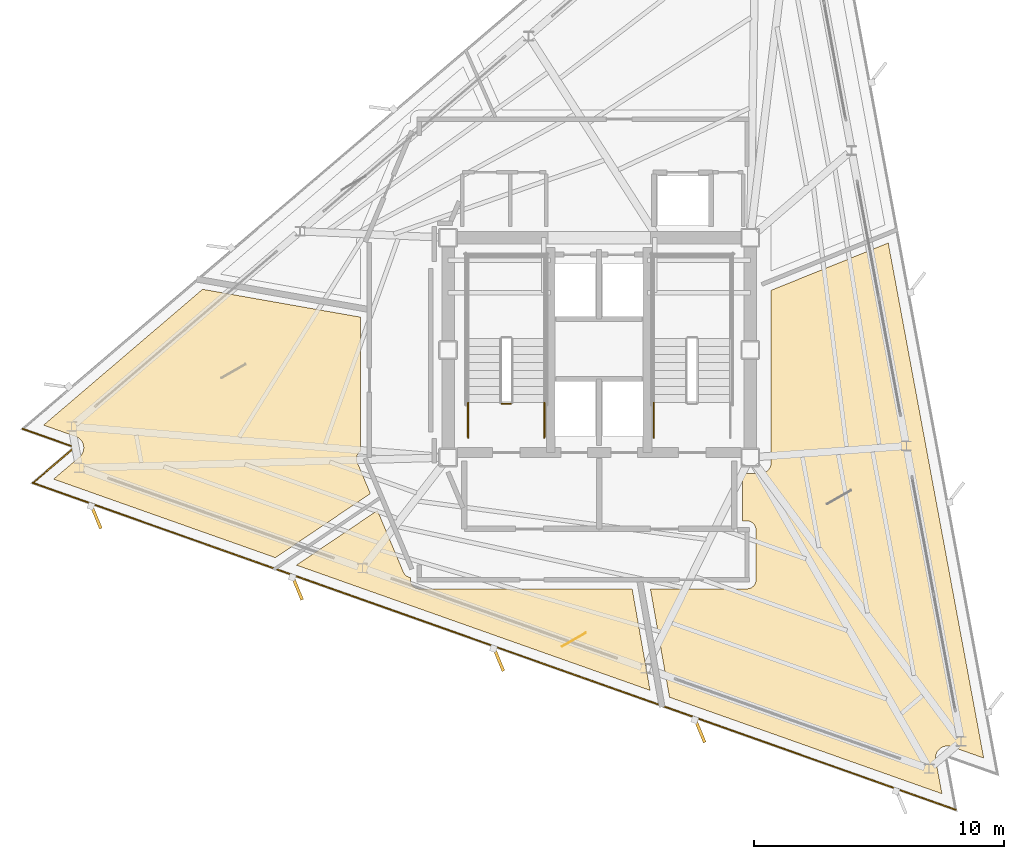
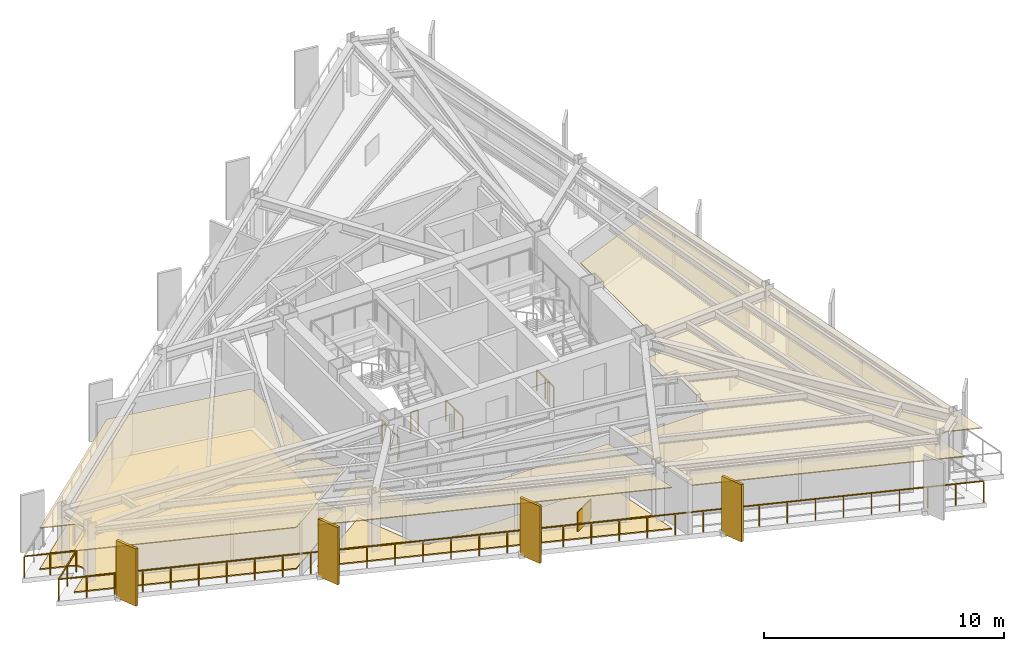
# One storey, part 11 of 14: 6 coverings, 5 railings, 4 shading devices.
"""IFC4 building model written with IfcOpenShell, lengths in metres."""

from ifc_helpers import new_model, si_unit, direction, frame, origin, origin_2d, place, context, subcontext, project, spatial, polyline, rectangle, outline, extrude, material, layer, layer_set, type_object, element, save


model = new_model("IFC4")

# Units and contexts
model_context = context("Model", 3, precision=1e-05, world=origin(), true_north=direction((0.0, 1.0)))
body_context = subcontext(model_context, "Body", "Model", "MODEL_VIEW")
ifc_project = project(units=[si_unit("LENGTHUNIT", "METRE"), si_unit("AREAUNIT", "SQUARE_METRE"), si_unit("VOLUMEUNIT", "CUBIC_METRE"), si_unit("PLANEANGLEUNIT", "RADIAN"), si_unit("MASSUNIT", "GRAM", prefix="KILO")], contexts=[model_context])

# Site, building, storey
site_placement = place(None, origin())
site = spatial("IfcSite", under=ifc_project, at=site_placement, CompositionType="ELEMENT")
building_placement = place(site_placement, origin())
building = spatial("IfcBuilding", under=site, at=building_placement, Name="Rocaltana Carrier Exchange", CompositionType="ELEMENT")
storey_placement = place(building_placement, frame((0.0, 0.0, 187.52001953125)))
storey = spatial("IfcBuildingStorey", under=building, at=storey_placement, Name="L59", CompositionType="ELEMENT", Elevation=187.52001953125)

# Coverings
ifc_material_1 = material(Name="Calcium Sulphate & Aluminium Pedestal", Category="aluminium")
ifc_layer_1 = layer(ifc_material_1, 0.06005859375)
ifc_layer_set_1 = layer_set([ifc_layer_1], Name="Calcium Sulphate & Aluminium Pedestal")
covering_type_1 = type_object("IfcCoveringType", Name="Anti-Static Raised Exchange Access Floor 60", PredefinedType="FLOORING", material=ifc_layer_set_1)
covering_1_placement = place(storey_placement, origin())
element("IfcCovering", 1, at=covering_1_placement, inside=storey, type_object=covering_type_1, Name="L59 Cloud Architecture Office Finish Floor", PredefinedType="FLOORING", context=body_context, shape_type="SweptSolid", body=[
    extrude(outline(polyline([(-20.80615234375, -4.279052734375), (-20.795654296875, -4.269775390625), (-20.78125, -4.256103515625), (-20.761962890625, -4.23583984375), (-20.748779296875, -4.220703125), (-20.731689453125, -4.19873046875), (-20.72021484375, -4.1826171875), (-20.705078125, -4.158935546875), (-20.6953125, -4.1416015625), (-20.682861328125, -4.11669921875), (-20.6748046875, -4.098388671875), (-20.664794921875, -4.072265625), (-20.65869140625, -4.053466796875), (-20.6513671875, -4.0263671875), (-20.64697265625, -4.0068359375), (-20.642333984375, -3.9794921875), (-20.64013671875, -3.959716796875), (-20.63818359375, -3.931884765625), (-20.637939453125, -3.911865234375), (-20.638916015625, -3.8837890625), (-20.640625, -3.864013671875), (-20.644287109375, -3.83642578125), (-20.64794921875, -3.81689453125), (-20.654296875, -3.78955078125), (-20.659912109375, -3.7705078125), (-20.6689453125, -3.744140625), (-20.676513671875, -3.7255859375), (-20.688232421875, -3.7001953125), (-20.697509765625, -3.6826171875), (-20.711669921875, -3.658447265625), (-20.72265625, -3.641845703125), (-20.739013671875, -3.619384765625), (-20.751708984375, -3.60400390625), (-20.770263671875, -3.5830078125), (-20.7841796875, -3.569091796875), (-20.804931640625, -3.55029296875), (-20.8203125, -3.53759765625), (-20.8427734375, -3.520751953125), (-20.859375, -3.509765625), (-20.88330078125, -3.495361328125), (-20.90087890625, -3.486083984375), (-20.926025390625, -3.47412109375), (-20.944580078125, -3.466552734375), (-20.95751953125, -3.46142578125), (-22.247802734375, -3.004638671875), (-15.87939453125, 2.434326171875), (-9.56005859375, 1.320068359375), (-9.56005859375, -4.052001953125), (-9.57177734375, -4.06005859375), (-9.578125, -4.064697265625), (-9.59912109375, -4.082275390625), (-9.60498046875, -4.087646484375), (-9.624267578125, -4.107177734375), (-9.629638671875, -4.113037109375), (-9.64697265625, -4.134521484375), (-9.651611328125, -4.140625), (-9.666748046875, -4.16357421875), (-9.670654296875, -4.17041015625), (-9.68359375, -4.194580078125), (-9.686767578125, -4.201904296875), (-9.697265625, -4.227294921875), (-9.69970703125, -4.234619140625), (-9.70751953125, -4.260986328125), (-9.70947265625, -4.2685546875), (-9.714599609375, -4.295654296875), (-9.7158203125, -4.30322265625), (-9.718505859375, -4.330810546875), (-9.71875, -4.33837890625), (-9.718505859375, -4.365966796875), (-9.71826171875, -4.373779296875), (-9.71533203125, -4.401123046875), (-9.714111328125, -4.408935546875), (-9.70849609375, -4.435791015625), (-9.706787109375, -4.443603515625), (-9.698486328125, -4.4697265625), (-9.69580078125, -4.47705078125), (-9.69091796875, -4.489990234375), (-9.16259765625, -5.74609375), (-12.967041015625, -8.312255859375), (-21.8466796875, -5.167724609375), (-20.80615234375, -4.279052734375)])), origin(), (0.0, 0.0, 1.0), 0.06005859375),
])
covering_2_placement = place(storey_placement, origin())
element("IfcCovering", 2, at=covering_2_placement, inside=storey, type_object=covering_type_1, Name="L59 Network Operations Office Finish Floor", PredefinedType="FLOORING", context=body_context, shape_type="SweptSolid", body=[
    extrude(outline(polyline([(-12.122802734375, -8.611083984375), (-8.878173828125, -6.422607421875), (-7.8408203125, -8.889892578125), (-7.835205078125, -8.90234375), (-7.831787109375, -8.909423828125), (-7.818603515625, -8.93359375), (-7.814697265625, -8.9404296875), (-7.79931640625, -8.963134765625), (-7.794677734375, -8.969482421875), (-7.777099609375, -8.990478515625), (-7.771728515625, -8.996337890625), (-7.752197265625, -9.015625), (-7.746337890625, -9.02099609375), (-7.72509765625, -9.038330078125), (-7.71875, -9.04296875), (-7.69580078125, -9.05810546875), (-7.68896484375, -9.06201171875), (-7.664794921875, -9.074951171875), (-7.65771484375, -9.078125), (-7.632080078125, -9.088623046875), (-7.624755859375, -9.09130859375), (-7.598388671875, -9.09912109375), (-7.5908203125, -9.100830078125), (-7.563720703125, -9.106201171875), (-7.56005859375, -9.106689453125), (-7.56005859375, -9.199951171875), (-7.559814453125, -9.213623046875), (-7.559326171875, -9.2216796875), (-7.556640625, -9.248779296875), (-7.555419921875, -9.256591796875), (-7.550048828125, -9.28369140625), (-7.548095703125, -9.291259765625), (-7.540283203125, -9.317626953125), (-7.53759765625, -9.324951171875), (-7.527099609375, -9.350341796875), (-7.523681640625, -9.357421875), (-7.5107421875, -9.381591796875), (-7.506591796875, -9.388427734375), (-7.491455078125, -9.4111328125), (-7.48681640625, -9.41748046875), (-7.46923828125, -9.438720703125), (-7.464111328125, -9.444580078125), (-7.444580078125, -9.464111328125), (-7.438720703125, -9.46923828125), (-7.41748046875, -9.48681640625), (-7.4111328125, -9.491455078125), (-7.388427734375, -9.506591796875), (-7.381591796875, -9.5107421875), (-7.357421875, -9.523681640625), (-7.350341796875, -9.527099609375), (-7.324951171875, -9.53759765625), (-7.317626953125, -9.540283203125), (-7.291259765625, -9.548095703125), (-7.28369140625, -9.550048828125), (-7.256591796875, -9.555419921875), (-7.248779296875, -9.556640625), (-7.2216796875, -9.559326171875), (-7.213623046875, -9.559814453125), (-7.199951171875, -9.56005859375), (1.320068359375, -9.56005859375), (2.037109375, -13.62548828125), (-12.122802734375, -8.611083984375)])), origin(), (0.0, 0.0, 1.0), 0.06005859375),
])
ifc_material_2 = material(Name="Mineral Fibre & Powder-Coated Aluminium", Category="aluminium")
ifc_layer_2 = layer(ifc_material_2, 0.044921875)
ifc_layer_set_2 = layer_set([ifc_layer_2], Name="Mineral Fibre & Powder-Coated Aluminium")
covering_type_2 = type_object("IfcCoveringType", Name="Micro-Perforated Acoustic Ceiling 45", PredefinedType="CEILING", material=ifc_layer_set_2)
covering_3_placement = place(storey_placement, frame((0.0, 0.0, 2.10302734375)))
element("IfcCovering", 3, at=covering_3_placement, inside=storey, type_object=covering_type_2, Name="L59 Cloud Architecture Office Acoustic Ceiling", PredefinedType="CEILING", context=body_context, shape_type="SweptSolid", body=[
    extrude(outline(polyline([(-20.80615234375, -4.279052734375), (-20.795654296875, -4.269775390625), (-20.78125, -4.256103515625), (-20.761962890625, -4.23583984375), (-20.748779296875, -4.220703125), (-20.731689453125, -4.19873046875), (-20.72021484375, -4.1826171875), (-20.705078125, -4.158935546875), (-20.6953125, -4.1416015625), (-20.682861328125, -4.11669921875), (-20.6748046875, -4.098388671875), (-20.664794921875, -4.072265625), (-20.65869140625, -4.053466796875), (-20.6513671875, -4.0263671875), (-20.64697265625, -4.0068359375), (-20.642333984375, -3.9794921875), (-20.64013671875, -3.959716796875), (-20.63818359375, -3.931884765625), (-20.637939453125, -3.911865234375), (-20.638916015625, -3.8837890625), (-20.640625, -3.864013671875), (-20.644287109375, -3.83642578125), (-20.64794921875, -3.81689453125), (-20.654296875, -3.78955078125), (-20.659912109375, -3.7705078125), (-20.6689453125, -3.744140625), (-20.676513671875, -3.7255859375), (-20.688232421875, -3.7001953125), (-20.697509765625, -3.6826171875), (-20.711669921875, -3.658447265625), (-20.72265625, -3.641845703125), (-20.739013671875, -3.619384765625), (-20.751708984375, -3.60400390625), (-20.770263671875, -3.5830078125), (-20.7841796875, -3.569091796875), (-20.804931640625, -3.55029296875), (-20.8203125, -3.53759765625), (-20.8427734375, -3.520751953125), (-20.859375, -3.509765625), (-20.88330078125, -3.495361328125), (-20.90087890625, -3.486083984375), (-20.926025390625, -3.47412109375), (-20.944580078125, -3.466552734375), (-20.95751953125, -3.46142578125), (-22.247802734375, -3.004638671875), (-15.87939453125, 2.434326171875), (-9.56005859375, 1.320068359375), (-9.56005859375, -4.052001953125), (-9.57177734375, -4.06005859375), (-9.578125, -4.064697265625), (-9.59912109375, -4.082275390625), (-9.60498046875, -4.087646484375), (-9.624267578125, -4.107177734375), (-9.629638671875, -4.113037109375), (-9.64697265625, -4.134521484375), (-9.651611328125, -4.140625), (-9.666748046875, -4.16357421875), (-9.670654296875, -4.17041015625), (-9.68359375, -4.194580078125), (-9.686767578125, -4.201904296875), (-9.697265625, -4.227294921875), (-9.69970703125, -4.234619140625), (-9.70751953125, -4.260986328125), (-9.70947265625, -4.2685546875), (-9.714599609375, -4.295654296875), (-9.7158203125, -4.30322265625), (-9.718505859375, -4.330810546875), (-9.71875, -4.33837890625), (-9.718505859375, -4.365966796875), (-9.71826171875, -4.373779296875), (-9.71533203125, -4.401123046875), (-9.714111328125, -4.408935546875), (-9.70849609375, -4.435791015625), (-9.706787109375, -4.443603515625), (-9.698486328125, -4.4697265625), (-9.69580078125, -4.47705078125), (-9.69091796875, -4.489990234375), (-9.16259765625, -5.74609375), (-12.967041015625, -8.312255859375), (-21.8466796875, -5.167724609375), (-20.80615234375, -4.279052734375)])), origin(), (0.0, 0.0, 1.0), 0.044921875),
])
covering_4_placement = place(storey_placement, frame((0.0, 0.0, 2.10302734375)))
element("IfcCovering", 4, at=covering_4_placement, inside=storey, type_object=covering_type_2, Name="L59 Network Operations Office Acoustic Ceiling", PredefinedType="CEILING", context=body_context, shape_type="SweptSolid", body=[
    extrude(outline(polyline([(-12.122802734375, -8.611083984375), (-8.878173828125, -6.422607421875), (-7.8408203125, -8.889892578125), (-7.835205078125, -8.90234375), (-7.831787109375, -8.909423828125), (-7.818603515625, -8.93359375), (-7.814697265625, -8.9404296875), (-7.79931640625, -8.963134765625), (-7.794677734375, -8.969482421875), (-7.777099609375, -8.990478515625), (-7.771728515625, -8.996337890625), (-7.752197265625, -9.015625), (-7.746337890625, -9.02099609375), (-7.72509765625, -9.038330078125), (-7.71875, -9.04296875), (-7.69580078125, -9.05810546875), (-7.68896484375, -9.06201171875), (-7.664794921875, -9.074951171875), (-7.65771484375, -9.078125), (-7.632080078125, -9.088623046875), (-7.624755859375, -9.09130859375), (-7.598388671875, -9.09912109375), (-7.5908203125, -9.100830078125), (-7.563720703125, -9.106201171875), (-7.56005859375, -9.106689453125), (-7.56005859375, -9.199951171875), (-7.559814453125, -9.213623046875), (-7.559326171875, -9.2216796875), (-7.556640625, -9.248779296875), (-7.555419921875, -9.256591796875), (-7.550048828125, -9.28369140625), (-7.548095703125, -9.291259765625), (-7.540283203125, -9.317626953125), (-7.53759765625, -9.324951171875), (-7.527099609375, -9.350341796875), (-7.523681640625, -9.357421875), (-7.5107421875, -9.381591796875), (-7.506591796875, -9.388427734375), (-7.491455078125, -9.4111328125), (-7.48681640625, -9.41748046875), (-7.46923828125, -9.438720703125), (-7.464111328125, -9.444580078125), (-7.444580078125, -9.464111328125), (-7.438720703125, -9.46923828125), (-7.41748046875, -9.48681640625), (-7.4111328125, -9.491455078125), (-7.388427734375, -9.506591796875), (-7.381591796875, -9.5107421875), (-7.357421875, -9.523681640625), (-7.350341796875, -9.527099609375), (-7.324951171875, -9.53759765625), (-7.317626953125, -9.540283203125), (-7.291259765625, -9.548095703125), (-7.28369140625, -9.550048828125), (-7.256591796875, -9.555419921875), (-7.248779296875, -9.556640625), (-7.2216796875, -9.559326171875), (-7.213623046875, -9.559814453125), (-7.199951171875, -9.56005859375), (1.320068359375, -9.56005859375), (2.037109375, -13.62548828125), (-12.122802734375, -8.611083984375)])), origin(), (0.0, 0.0, 1.0), 0.044921875),
])
covering_5_placement = place(storey_placement, frame((0.0, 0.0, 2.10302734375)))
element("IfcCovering", 5, at=covering_5_placement, inside=storey, type_object=covering_type_2, Name="L59 Cloud Architecture Office Acoustic Ceiling", PredefinedType="CEILING", context=body_context, shape_type="SweptSolid", body=[
    extrude(outline(polyline([(5.739990234375, -6.840087890625), (5.739990234375, -4.93994140625), (6.449951171875, -4.93994140625), (6.463623046875, -4.939697265625), (6.4794921875, -4.93896484375), (6.5068359375, -4.936279296875), (6.522216796875, -4.933837890625), (6.54931640625, -4.928466796875), (6.564453125, -4.9248046875), (6.5908203125, -4.916748046875), (6.605712890625, -4.91162109375), (6.630859375, -4.90087890625), (6.64501953125, -4.894287109375), (6.66943359375, -4.88134765625), (6.682861328125, -4.873291015625), (6.705810546875, -4.85791015625), (6.71826171875, -4.8486328125), (6.739501953125, -4.8310546875), (6.751220703125, -4.820556640625), (6.7705078125, -4.80126953125), (6.781005859375, -4.78955078125), (6.798583984375, -4.768310546875), (6.807861328125, -4.755615234375), (6.8232421875, -4.73291015625), (6.831298828125, -4.719482421875), (6.84423828125, -4.695068359375), (6.850830078125, -4.680908203125), (6.861572265625, -4.655517578125), (6.86669921875, -4.640869140625), (6.874755859375, -4.614501953125), (6.87841796875, -4.59912109375), (6.8837890625, -4.572265625), (6.88623046875, -4.556884765625), (6.888916015625, -4.529296875), (6.8896484375, -4.513671875), (6.889892578125, -4.5), (6.889892578125, 2.3955078125), (11.576171875, 4.288818359375), (15.398681640625, -16.3359375), (14.108642578125, -15.879150390625), (14.095458984375, -15.874755859375), (14.076416015625, -15.869140625), (14.04931640625, -15.8623046875), (14.02978515625, -15.858642578125), (14.001953125, -15.854736328125), (13.982177734375, -15.852783203125), (13.954345703125, -15.851806640625), (13.934326171875, -15.85205078125), (13.906494140625, -15.853515625), (13.88671875, -15.855712890625), (13.859130859375, -15.860107421875), (13.839599609375, -15.8642578125), (13.8125, -15.871337890625), (13.793701171875, -15.87744140625), (13.767333984375, -15.88720703125), (13.7490234375, -15.89501953125), (13.72412109375, -15.907470703125), (13.706787109375, -15.9169921875), (13.68310546875, -15.931884765625), (13.66650390625, -15.943359375), (13.64453125, -15.960205078125), (13.62939453125, -15.973388671875), (13.60888671875, -15.992431640625), (13.59521484375, -16.0068359375), (13.576904296875, -16.02783203125), (13.564697265625, -16.043701171875), (13.548583984375, -16.06640625), (13.537841796875, -16.083251953125), (13.524169921875, -16.107666015625), (13.51513671875, -16.12548828125), (13.50390625, -16.15087890625), (13.496826171875, -16.16943359375), (13.48828125, -16.196044921875), (13.48291015625, -16.21533203125), (13.47705078125, -16.24267578125), (13.4736328125, -16.26220703125), (13.470458984375, -16.2900390625), (13.468994140625, -16.309814453125), (13.46875, -16.337890625), (13.469482421875, -16.357666015625), (13.4716796875, -16.385498046875), (13.474365234375, -16.4052734375), (13.4765625, -16.419189453125), (13.725830078125, -17.7646484375), (2.81689453125, -13.901611328125), (2.05126953125, -9.56005859375), (5.919921875, -9.56005859375), (5.93359375, -9.559814453125), (5.941650390625, -9.559326171875), (5.968994140625, -9.556640625), (5.976806640625, -9.555419921875), (6.003662109375, -9.550048828125), (6.01123046875, -9.548095703125), (6.03759765625, -9.540283203125), (6.044921875, -9.53759765625), (6.0703125, -9.527099609375), (6.077392578125, -9.523681640625), (6.101806640625, -9.5107421875), (6.1083984375, -9.506591796875), (6.131103515625, -9.491455078125), (6.137451171875, -9.48681640625), (6.15869140625, -9.46923828125), (6.16455078125, -9.464111328125), (6.18408203125, -9.444580078125), (6.189208984375, -9.438720703125), (6.206787109375, -9.41748046875), (6.21142578125, -9.4111328125), (6.226806640625, -9.388427734375), (6.230712890625, -9.381591796875), (6.24365234375, -9.357421875), (6.2470703125, -9.350341796875), (6.257568359375, -9.324951171875), (6.26025390625, -9.317626953125), (6.268310546875, -9.291259765625), (6.27001953125, -9.28369140625), (6.275390625, -9.256591796875), (6.276611328125, -9.248779296875), (6.279296875, -9.2216796875), (6.27978515625, -9.213623046875), (6.280029296875, -9.199951171875), (6.280029296875, -7.199951171875), (6.27978515625, -7.186279296875), (6.279296875, -7.178466796875), (6.276611328125, -7.151123046875), (6.275390625, -7.143310546875), (6.27001953125, -7.116455078125), (6.268310546875, -7.108642578125), (6.26025390625, -7.08251953125), (6.257568359375, -7.0751953125), (6.2470703125, -7.0498046875), (6.24365234375, -7.04248046875), (6.230712890625, -7.018310546875), (6.226806640625, -7.01171875), (6.21142578125, -6.98876953125), (6.206787109375, -6.982421875), (6.189208984375, -6.961181640625), (6.18408203125, -6.955322265625), (6.16455078125, -6.93603515625), (6.15869140625, -6.9306640625), (6.137451171875, -6.913330078125), (6.131103515625, -6.90869140625), (6.1083984375, -6.893310546875), (6.101806640625, -6.889404296875), (6.077392578125, -6.876220703125), (6.0703125, -6.873046875), (6.044921875, -6.862548828125), (6.03759765625, -6.85986328125), (6.01123046875, -6.851806640625), (6.003662109375, -6.849853515625), (5.976806640625, -6.844482421875), (5.968994140625, -6.843505859375), (5.941650390625, -6.8408203125), (5.93359375, -6.84033203125), (5.919921875, -6.840087890625), (5.739990234375, -6.840087890625)])), origin(), (0.0, 0.0, 1.0), 0.044921875),
])

# Railings
ifc_material_3 = material(Name="Powder-Coated Aluminium 6063-T6", Category="aluminium")
ifc_layer_3 = layer(ifc_material_3, 0.048095703125)
ifc_layer_set_3 = layer_set([ifc_layer_3], Name="Powder-Coated Aluminium 6063-T6")
railing_type_1 = type_object("IfcRailingType", Name="Stair Well Guardrail 1100", PredefinedType="GUARDRAIL", material=ifc_layer_set_3)
railing_1_placement = place(storey_placement, frame((-3.5400390625, -2.14990234375, 0.0)))
element("IfcRailing", 6, at=railing_1_placement, inside=storey, type_object=railing_type_1, Name="L59 ST-1 stair guard 7", PredefinedType="GUARDRAIL", context=body_context, shape_type="SweptSolid", body=[
    extrude(rectangle(XDim=0.048095703125, YDim=0.048095703125, at=origin_2d()), frame((0.0, 0.0, 1.076171875), z_axis=(-1.0, 0.0, 0.0), x_axis=(0.0, -1.0, 0.0)), (0.0, 0.0, 1.0), 0.35986328125),
    extrude(rectangle(XDim=0.0419921875, YDim=0.0419921875, at=origin_2d()), origin(), (0.0, 0.0, 1.0), 1.052001953125),
    extrude(rectangle(XDim=0.0419921875, YDim=0.0419921875, at=origin_2d()), frame((-0.35986328125, 0.0, 0.0)), (0.0, 0.0, 1.0), 1.052001953125),
])
for number, where, name in (
    (7, (-2.18994140625, -3.5, 0.0), "L59 ST-1 stair guard 8"),
    (8, (-5.25, -3.5, 0.0), "L59 ST-1 stair guard 9"),
    (9, (2.18994140625, -3.5, 0.0), "L59 ST-2 stair guard 9"),
):
    element("IfcRailing", number, at=place(storey_placement, frame(where)), inside=storey, type_object=railing_type_1, Name=name, PredefinedType="GUARDRAIL", context=body_context, shape_type="SweptSolid", body=[
        extrude(rectangle(XDim=0.048095703125, YDim=0.048095703125, at=origin_2d()), frame((0.0, 0.0, 1.076171875), z_axis=(0.0, 1.0, 0.0), x_axis=(-1.0, 0.0, 0.0)), (0.0, 0.0, 1.0), 1.39990234375),
        extrude(rectangle(XDim=0.0419921875, YDim=0.0419921875, at=origin_2d()), origin(), (0.0, 0.0, 1.0), 1.052001953125),
        extrude(rectangle(XDim=0.0419921875, YDim=0.0419921875, at=origin_2d()), frame((0.0, 0.699951171875, 0.0)), (0.0, 0.0, 1.0), 1.052001953125),
        extrude(rectangle(XDim=0.0419921875, YDim=0.0419921875, at=origin_2d()), frame((0.0, 1.39990234375, 0.0)), (0.0, 0.0, 1.0), 1.052001953125),
    ])

# Covering
ifc_material_4 = material(Name="Honed Piedra Muneca Sandstone", Category="masonry")
ifc_layer_4 = layer(ifc_material_4, 0.034912109375)
ifc_layer_set_4 = layer_set([ifc_layer_4], Name="Honed Piedra Muneca Sandstone")
covering_type_3 = type_object("IfcCoveringType", Name="Stone Facade Cladding 35", PredefinedType="CLADDING", material=ifc_layer_set_4)
covering_6_placement = place(storey_placement, frame((-1.01220703125, -11.5927734375, 0.0), z_axis=(0.0, 0.0, 1.0), x_axis=(0.866025403784, 0.5, 0.0)))
element("IfcCovering", 10, at=covering_6_placement, inside=storey, type_object=covering_type_3, Name="L59 Stone Facade Cladding Panel 2", PredefinedType="CLADDING", context=body_context, shape_type="SweptSolid", body=[
    extrude(rectangle(XDim=1.10009765625, YDim=0.034912109375, at=origin_2d()), origin(), (0.0, 0.0, 1.0), 1.050048828125),
])

# Shading devices
ifc_material_5 = material(Name="Honed Bogota Sandstone & Concrete C45/55", Category="masonry")
ifc_layer_5 = layer(ifc_material_5, 0.1201171875)
ifc_layer_set_5 = layer_set([ifc_layer_5], Name="Honed Bogota Sandstone & Concrete C45/55")
shading_device_type = type_object("IfcShadingDeviceType", Name="Upper Sandstone Shading Fin 1050x120", PredefinedType="USERDEFINED", material=ifc_layer_set_5)
for number, where, z_axis, x_axis, name in (
    (11, (-20.154296875, -6.65869140625, -0.1201171875), (0.0, 0.0, 1.0), (0.382683432365, -0.923879532511, 0.0), "L59 Sandstone Vertical Fin F3-01"),
    (12, (-12.094482421875, -9.5126953125, -0.1201171875), (0.0, 0.0, 1.0), (0.382683432365, -0.923879532511, 0.0), "L59 Sandstone Vertical Fin F3-02"),
    (13, (-4.034912109375, -12.36669921875, -0.1201171875), (0.0, 0.0, 1.0), (0.382683432365, -0.923879532511, 0.0), "L59 Sandstone Vertical Fin F3-03"),
    (14, (4.0244140625, -15.220947265625, -0.1201171875), (0.0, 0.0, 1.0), (0.382683432365, -0.923879532511, 0.0), "L59 Sandstone Vertical Fin F3-04"),
):
    element("IfcShadingDevice", number, at=place(storey_placement, frame(where, z_axis=z_axis, x_axis=x_axis)), inside=storey, type_object=shading_device_type, Name=name, ObjectType="FIN", PredefinedType="USERDEFINED", context=body_context, shape_type="SweptSolid", body=[
        extrude(rectangle(XDim=1.050048828125, YDim=0.1201171875, at=origin_2d()), origin(), (0.0, 0.0, 1.0), 2.91796875),
    ])

# Railing
ifc_material_6 = material(Name="Powder-Coated Aluminium 6063-T6", Category="aluminium")
ifc_layer_6 = layer(ifc_material_6, 0.06005859375)
ifc_layer_set_6 = layer_set([ifc_layer_6], Name="Powder-Coated Aluminium 6063-T6")
railing_type_2 = type_object("IfcRailingType", Name="Wind-Floor & Terrace Perimeter Guardrail 1100", PredefinedType="GUARDRAIL", material=ifc_layer_set_6)
railing_2_placement = place(storey_placement, frame((14.271484375, -18.403564453125, 0.0)))
element("IfcRailing", 15, at=railing_2_placement, inside=storey, type_object=railing_type_2, Name="L59 Perimeter Balcony Guardrail 1", PredefinedType="GUARDRAIL", context=body_context, shape_type="SweptSolid", body=[
    extrude(rectangle(XDim=0.048095703125, YDim=0.048095703125, at=origin_2d()), frame((0.0, 0.0, 1.076171875), z_axis=(-0.94264008911, 0.333810818284, 0.0), x_axis=(-0.333810818284, -0.94264008911, 0.0)), (0.0, 0.0, 1.0), 39.192138671875),
    extrude(rectangle(XDim=0.048095703125, YDim=0.048095703125, at=origin_2d()), frame((-36.944091796875, 13.082763671875, 1.076171875), z_axis=(0.760414781346, 0.649437726275, 0.0), x_axis=(-0.649437726275, 0.760414781346, 0.0)), (0.0, 0.0, 1.0), 2.199951171875),
    extrude(rectangle(XDim=0.048095703125, YDim=0.048095703125, at=origin_2d()), frame((-35.271240234375, 14.511474609375, 1.076171875), z_axis=(-0.942637410797, 0.333818381408, 0.0), x_axis=(-0.333818381408, -0.942637410797, 0.0)), (0.0, 0.0, 1.0), 2.199951171875),
    extrude(rectangle(XDim=0.0419921875, YDim=0.0419921875, at=origin_2d()), origin(), (0.0, 0.0, 1.0), 1.052001953125),
    extrude(rectangle(XDim=0.0419921875, YDim=0.0419921875, at=origin_2d()), frame((-1.11962890625, 0.396484375, 0.0)), (0.0, 0.0, 1.0), 1.052001953125),
    extrude(rectangle(XDim=0.0419921875, YDim=0.0419921875, at=origin_2d()), frame((-2.239013671875, 0.79296875, 0.0)), (0.0, 0.0, 1.0), 1.052001953125),
    extrude(rectangle(XDim=0.0419921875, YDim=0.0419921875, at=origin_2d()), frame((-3.358642578125, 1.189453125, 0.0)), (0.0, 0.0, 1.0), 1.052001953125),
    extrude(rectangle(XDim=0.0419921875, YDim=0.0419921875, at=origin_2d()), frame((-4.47802734375, 1.585693359375, 0.0)), (0.0, 0.0, 1.0), 1.052001953125),
    extrude(rectangle(XDim=0.0419921875, YDim=0.0419921875, at=origin_2d()), frame((-5.59765625, 1.982177734375, 0.0)), (0.0, 0.0, 1.0), 1.052001953125),
    extrude(rectangle(XDim=0.0419921875, YDim=0.0419921875, at=origin_2d()), frame((-6.717041015625, 2.378662109375, 0.0)), (0.0, 0.0, 1.0), 1.052001953125),
    extrude(rectangle(XDim=0.0419921875, YDim=0.0419921875, at=origin_2d()), frame((-7.836669921875, 2.775146484375, 0.0)), (0.0, 0.0, 1.0), 1.052001953125),
    extrude(rectangle(XDim=0.0419921875, YDim=0.0419921875, at=origin_2d()), frame((-8.9560546875, 3.171630859375, 0.0)), (0.0, 0.0, 1.0), 1.052001953125),
    extrude(rectangle(XDim=0.0419921875, YDim=0.0419921875, at=origin_2d()), frame((-10.07568359375, 3.568115234375, 0.0)), (0.0, 0.0, 1.0), 1.052001953125),
    extrude(rectangle(XDim=0.0419921875, YDim=0.0419921875, at=origin_2d()), frame((-11.195068359375, 3.96435546875, 0.0)), (0.0, 0.0, 1.0), 1.052001953125),
    extrude(rectangle(XDim=0.0419921875, YDim=0.0419921875, at=origin_2d()), frame((-12.314697265625, 4.36083984375, 0.0)), (0.0, 0.0, 1.0), 1.052001953125),
    extrude(rectangle(XDim=0.0419921875, YDim=0.0419921875, at=origin_2d()), frame((-13.434326171875, 4.75732421875, 0.0)), (0.0, 0.0, 1.0), 1.052001953125),
    extrude(rectangle(XDim=0.0419921875, YDim=0.0419921875, at=origin_2d()), frame((-14.5537109375, 5.15380859375, 0.0)), (0.0, 0.0, 1.0), 1.052001953125),
    extrude(rectangle(XDim=0.0419921875, YDim=0.0419921875, at=origin_2d()), frame((-15.67333984375, 5.55029296875, 0.0)), (0.0, 0.0, 1.0), 1.052001953125),
    extrude(rectangle(XDim=0.0419921875, YDim=0.0419921875, at=origin_2d()), frame((-16.792724609375, 5.94677734375, 0.0)), (0.0, 0.0, 1.0), 1.052001953125),
    extrude(rectangle(XDim=0.0419921875, YDim=0.0419921875, at=origin_2d()), frame((-17.912353515625, 6.34326171875, 0.0)), (0.0, 0.0, 1.0), 1.052001953125),
    extrude(rectangle(XDim=0.0419921875, YDim=0.0419921875, at=origin_2d()), frame((-19.03173828125, 6.739501953125, 0.0)), (0.0, 0.0, 1.0), 1.052001953125),
    extrude(rectangle(XDim=0.0419921875, YDim=0.0419921875, at=origin_2d()), frame((-20.1513671875, 7.135986328125, 0.0)), (0.0, 0.0, 1.0), 1.052001953125),
    extrude(rectangle(XDim=0.0419921875, YDim=0.0419921875, at=origin_2d()), frame((-21.270751953125, 7.532470703125, 0.0)), (0.0, 0.0, 1.0), 1.052001953125),
    extrude(rectangle(XDim=0.0419921875, YDim=0.0419921875, at=origin_2d()), frame((-22.390380859375, 7.928955078125, 0.0)), (0.0, 0.0, 1.0), 1.052001953125),
    extrude(rectangle(XDim=0.0419921875, YDim=0.0419921875, at=origin_2d()), frame((-23.509765625, 8.325439453125, 0.0)), (0.0, 0.0, 1.0), 1.052001953125),
    extrude(rectangle(XDim=0.0419921875, YDim=0.0419921875, at=origin_2d()), frame((-24.62939453125, 8.721923828125, 0.0)), (0.0, 0.0, 1.0), 1.052001953125),
    extrude(rectangle(XDim=0.0419921875, YDim=0.0419921875, at=origin_2d()), frame((-25.7490234375, 9.118408203125, 0.0)), (0.0, 0.0, 1.0), 1.052001953125),
    extrude(rectangle(XDim=0.0419921875, YDim=0.0419921875, at=origin_2d()), frame((-26.868408203125, 9.5146484375, 0.0)), (0.0, 0.0, 1.0), 1.052001953125),
    extrude(rectangle(XDim=0.0419921875, YDim=0.0419921875, at=origin_2d()), frame((-27.988037109375, 9.9111328125, 0.0)), (0.0, 0.0, 1.0), 1.052001953125),
    extrude(rectangle(XDim=0.0419921875, YDim=0.0419921875, at=origin_2d()), frame((-29.107421875, 10.3076171875, 0.0)), (0.0, 0.0, 1.0), 1.052001953125),
    extrude(rectangle(XDim=0.0419921875, YDim=0.0419921875, at=origin_2d()), frame((-30.22705078125, 10.7041015625, 0.0)), (0.0, 0.0, 1.0), 1.052001953125),
    extrude(rectangle(XDim=0.0419921875, YDim=0.0419921875, at=origin_2d()), frame((-31.346435546875, 11.1005859375, 0.0)), (0.0, 0.0, 1.0), 1.052001953125),
    extrude(rectangle(XDim=0.0419921875, YDim=0.0419921875, at=origin_2d()), frame((-32.466064453125, 11.4970703125, 0.0)), (0.0, 0.0, 1.0), 1.052001953125),
    extrude(rectangle(XDim=0.0419921875, YDim=0.0419921875, at=origin_2d()), frame((-33.58544921875, 11.893310546875, 0.0)), (0.0, 0.0, 1.0), 1.052001953125),
    extrude(rectangle(XDim=0.0419921875, YDim=0.0419921875, at=origin_2d()), frame((-34.705078125, 12.289794921875, 0.0)), (0.0, 0.0, 1.0), 1.052001953125),
    extrude(rectangle(XDim=0.0419921875, YDim=0.0419921875, at=origin_2d()), frame((-35.824462890625, 12.686279296875, 0.0)), (0.0, 0.0, 1.0), 1.052001953125),
    extrude(rectangle(XDim=0.0419921875, YDim=0.0419921875, at=origin_2d()), frame((-36.944091796875, 13.082763671875, 0.0)), (0.0, 0.0, 1.0), 1.052001953125),
    extrude(rectangle(XDim=0.0419921875, YDim=0.0419921875, at=origin_2d()), frame((-36.107666015625, 13.797119140625, 0.0)), (0.0, 0.0, 1.0), 1.052001953125),
    extrude(rectangle(XDim=0.0419921875, YDim=0.0419921875, at=origin_2d()), frame((-35.271240234375, 14.511474609375, 0.0)), (0.0, 0.0, 1.0), 1.052001953125),
    extrude(rectangle(XDim=0.0419921875, YDim=0.0419921875, at=origin_2d()), frame((-36.30810546875, 14.878662109375, 0.0)), (0.0, 0.0, 1.0), 1.052001953125),
    extrude(rectangle(XDim=0.0419921875, YDim=0.0419921875, at=origin_2d()), frame((-37.344970703125, 15.245849609375, 0.0)), (0.0, 0.0, 1.0), 1.052001953125),
])

save(model, "model.ifc")
